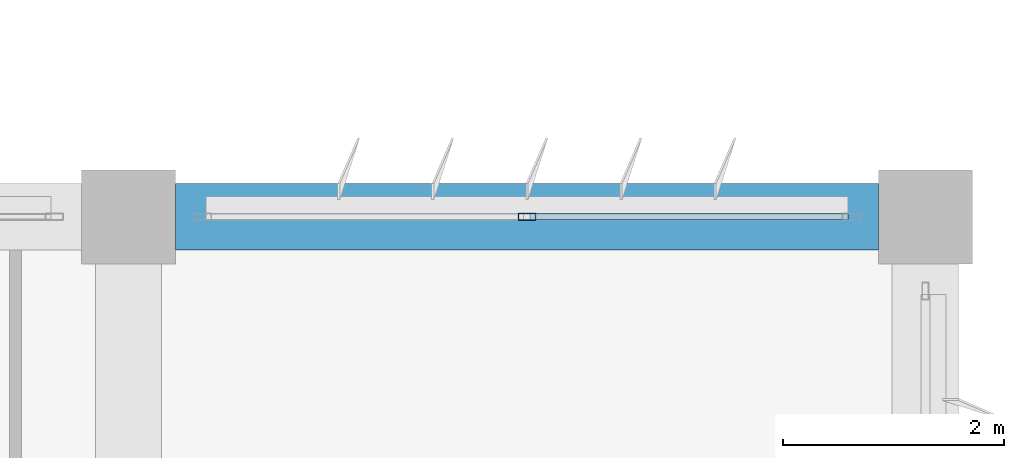
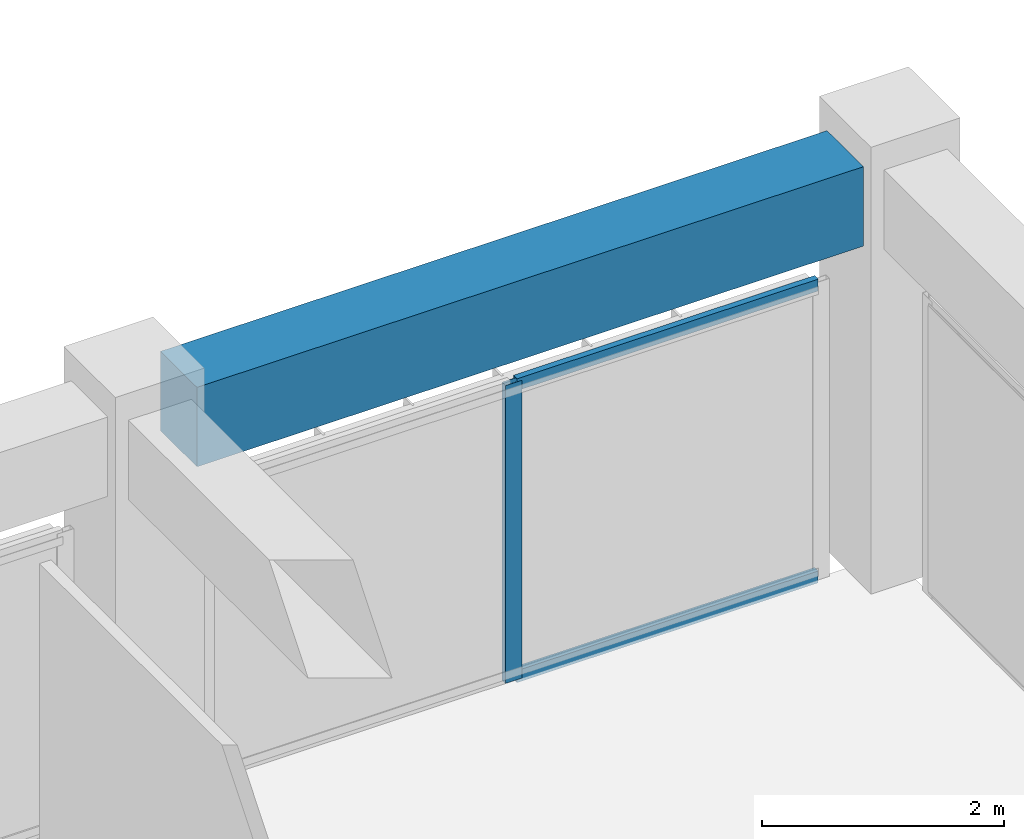
# One storey, part 26 of 56: 3 members, 1 beam, 1 element without a shape of its own.
"""IFC4 building model written with IfcOpenShell, lengths in metres."""

from ifc_helpers import new_model, si_unit, direction, frame, origin, origin_2d, place, context, subcontext, project, spatial, rectangle, hollow_rectangle, extrude, material, material_profile, profile_set, type_object, element, aggregate, save


model = new_model("IFC4")

# Units and contexts
model_context = context("Model", 3, precision=1e-05, world=origin(), true_north=direction((0.0, 1.0)))
body_context = subcontext(model_context, "Body", "Model", "MODEL_VIEW")
ifc_project = project(units=[si_unit("LENGTHUNIT", "METRE"), si_unit("AREAUNIT", "SQUARE_METRE"), si_unit("VOLUMEUNIT", "CUBIC_METRE"), si_unit("PLANEANGLEUNIT", "RADIAN"), si_unit("MASSUNIT", "GRAM", prefix="KILO")], contexts=[model_context])

# Site, building, storey
site_placement = place(None, origin())
site = spatial("IfcSite", under=ifc_project, at=site_placement, CompositionType="ELEMENT")
building_placement = place(site_placement, origin())
building = spatial("IfcBuilding", under=site, at=building_placement, Name="Kazehaya Institute of Natural Sciences", CompositionType="ELEMENT")
storey_placement = place(building_placement, frame((0.0, 0.0, 24.300048828125)))
storey = spatial("IfcBuildingStorey", under=building, at=storey_placement, Name="L05", CompositionType="ELEMENT", Elevation=24.300048828125)

# Beam
ifc_material_1 = material(Name="Concrete Fc36", Category="concrete")
ifc_material_profile_1 = material_profile(ifc_material_1, rectangle(XDim=0.60009765625, YDim=0.800048828125, at=origin_2d()), Name="RC-600x800")
ifc_profile_set_1 = profile_set([ifc_material_profile_1], Name="Concrete Fc36")
beam_type = type_object("IfcBeamType", Name="BM-G-600x800", PredefinedType="BEAM", material=ifc_profile_set_1)
beam_placement = place(storey_placement, frame((112.625, 35.60009765625, 3.829833984375), z_axis=(1.0, 0.0, 0.0), x_axis=(0.0, 1.0, 0.0)))
element("IfcBeam", 1, at=beam_placement, inside=storey, type_object=beam_type, Name="L05 primary X girder BMX-L05-1122-356", PredefinedType="BEAM", context=body_context, shape_type="SweptSolid", body=[
    extrude(rectangle(XDim=0.60009765625, YDim=0.800048828125, at=origin_2d()), origin(), (0.0, 0.0, 1.0), 6.35009765625),
])

# Curtain wall, members
ifc_material_2 = material(Name="Aluminium alloy A6063S-T5", Category="aluminium")
curtain_wall_type = type_object("IfcCurtainWallType", Name="CW-SYS-04", PredefinedType="NOTDEFINED", material=ifc_material_2)
curtain_wall_placement = place(storey_placement, origin())
curtain_wall = element("IfcCurtainWall", 2, at=curtain_wall_placement, inside=storey, type_object=curtain_wall_type, Name="L05 unitised curtain wall CW-L05-111", PredefinedType="NOTDEFINED")
ifc_material_profile_2 = material_profile(ifc_material_2, hollow_rectangle(XDim=0.06005859375, YDim=0.159912109375, WallThickness=0.00390625, at=origin_2d()), Name="ALU-60x160x4")
ifc_profile_set_2 = profile_set([ifc_material_profile_2], Name="Aluminium alloy A6063S-T5")
member_type_1 = type_object("IfcMemberType", Name="CWM-160", PredefinedType="MULLION", material=ifc_profile_set_2)
member_1_placement = place(storey_placement, frame((115.800048828125, 35.60009765625, 0.0), z_axis=(0.0, 0.0, 1.0), x_axis=(0.0, 1.0, 0.0)))
member_1 = element("IfcMember", 3, at=member_1_placement, type_object=member_type_1, Name="CW04 mullion 2", PredefinedType="MULLION", context=body_context, shape_type="SweptSolid", body=[
    extrude(hollow_rectangle(XDim=0.06005859375, YDim=0.159912109375, WallThickness=0.00390625, at=origin_2d()), origin(), (0.0, 0.0, 1.0), 3.0),
])
ifc_material_profile_3 = material_profile(ifc_material_2, hollow_rectangle(XDim=0.06005859375, YDim=0.1201171875, WallThickness=0.00341796875, at=origin_2d()), Name="ALU-60x120x3.5")
ifc_profile_set_3 = profile_set([ifc_material_profile_3], Name="Aluminium alloy A6063S-T5")
member_type_2 = type_object("IfcMemberType", Name="CWT-120", PredefinedType="USERDEFINED", material=ifc_profile_set_3)
member_2_placement = place(storey_placement, frame((115.830078125, 35.60009765625, 0.030029296875), z_axis=(1.0, 0.0, 0.0), x_axis=(0.0, 1.0, 0.0)))
member_2 = element("IfcMember", 4, at=member_2_placement, type_object=member_type_2, Name="CW04 transom 2.1", ObjectType="TRANSOM", PredefinedType="USERDEFINED", context=body_context, shape_type="SweptSolid", body=[
    extrude(hollow_rectangle(XDim=0.06005859375, YDim=0.1201171875, WallThickness=0.00341796875, at=origin_2d()), origin(), (0.0, 0.0, 1.0), 2.869873046875),
])
member_3_placement = place(storey_placement, frame((115.830078125, 35.60009765625, 2.969970703125), z_axis=(1.0, 0.0, 0.0), x_axis=(0.0, 1.0, 0.0)))
member_3 = element("IfcMember", 5, at=member_3_placement, type_object=member_type_2, Name="CW04 transom 2.2", ObjectType="TRANSOM", PredefinedType="USERDEFINED", context=body_context, shape_type="SweptSolid", body=[
    extrude(hollow_rectangle(XDim=0.06005859375, YDim=0.1201171875, WallThickness=0.00341796875, at=origin_2d()), origin(), (0.0, 0.0, 1.0), 2.869873046875),
])
aggregate(curtain_wall, [member_1, member_2, member_3])

save(model, "model.ifc")
